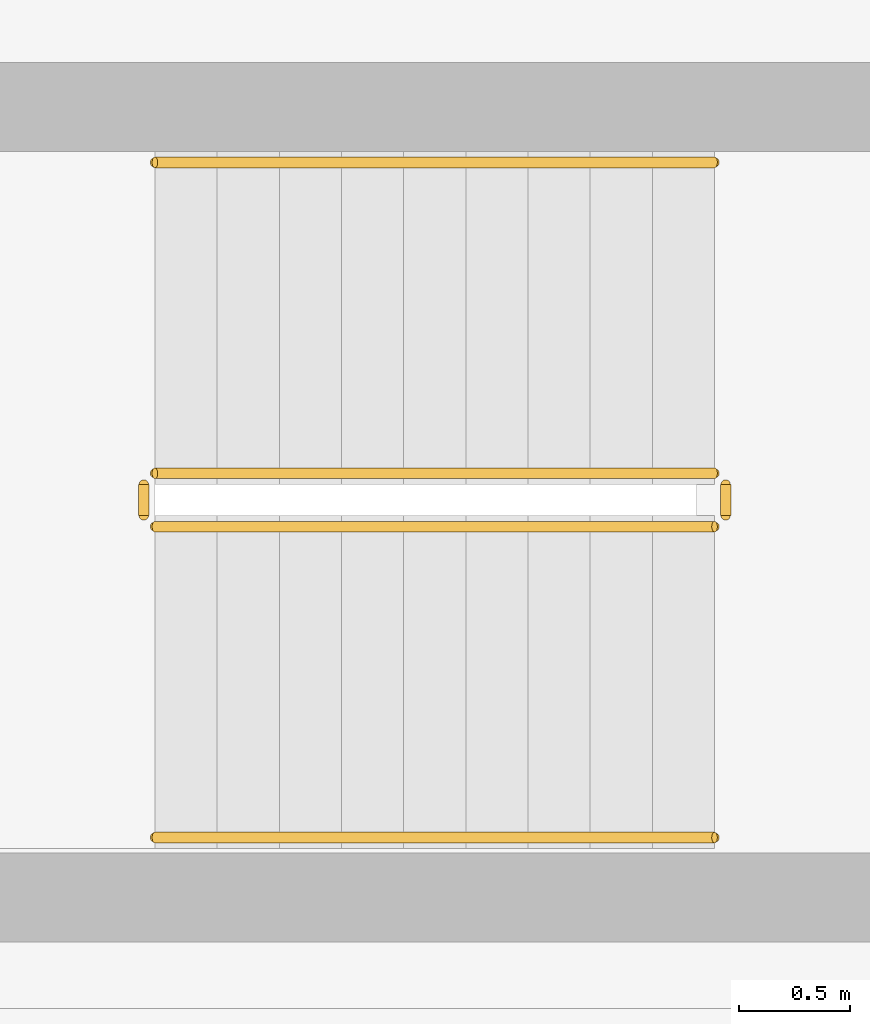
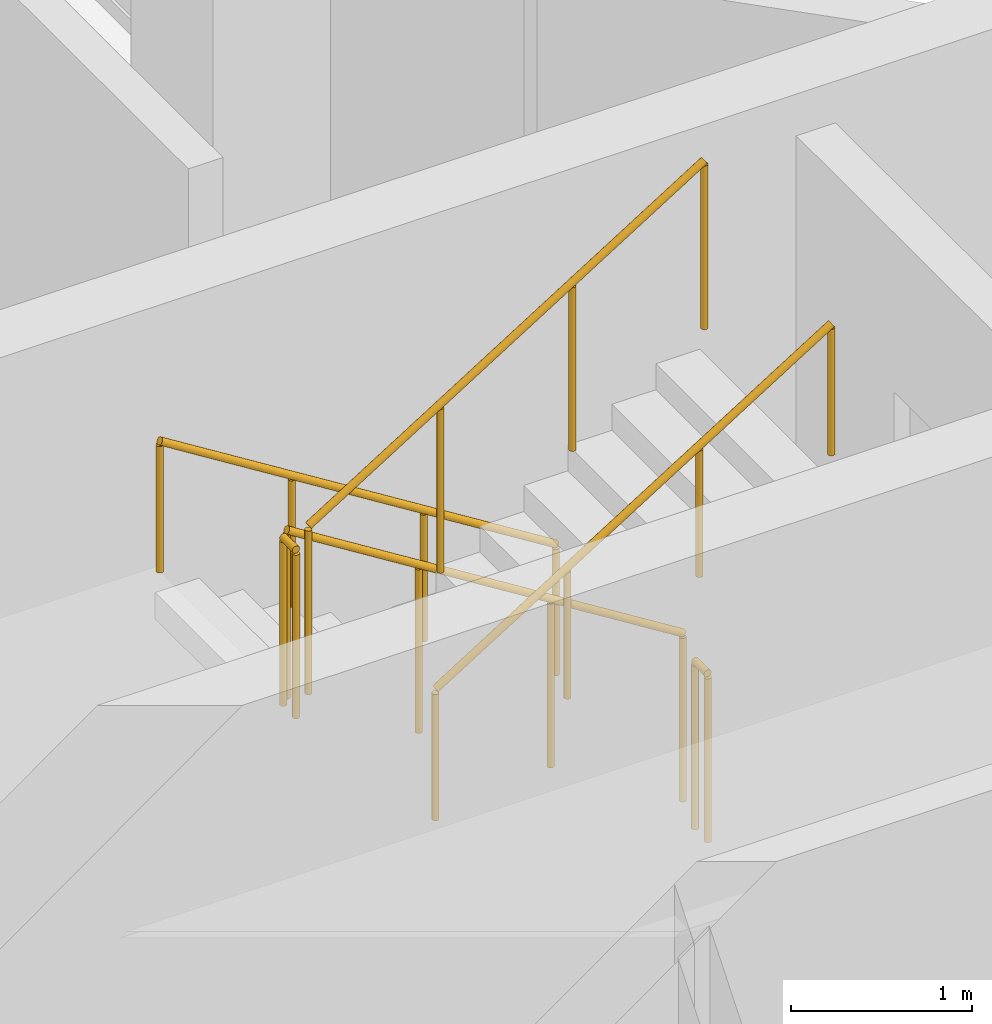
# One storey, part 11 of 14: 6 railings.
"""IFC4 building model written with IfcOpenShell, lengths in metres."""

from ifc_helpers import new_model, si_unit, derived_unit, direction, frame, origin, origin_2d, place, context, subcontext, project, spatial, circle, extrude, material, type_object, element, save


model = new_model("IFC4")

# Units and contexts
model_context = context("Model", 3, precision=1e-05, world=origin(), true_north=direction((0.0, 1.0)))
body_context = subcontext(model_context, "Body", "Model", "MODEL_VIEW")
ifc_project = project(units=[si_unit("LENGTHUNIT", "METRE"), si_unit("AREAUNIT", "SQUARE_METRE"), si_unit("VOLUMEUNIT", "CUBIC_METRE"), si_unit("PLANEANGLEUNIT", "RADIAN"), si_unit("MASSUNIT", "GRAM", prefix="KILO"), derived_unit("THERMALTRANSMITTANCEUNIT", [(si_unit("POWERUNIT", "WATT"), 1), (si_unit("LENGTHUNIT", "METRE"), -2), (si_unit("THERMODYNAMICTEMPERATUREUNIT", "KELVIN"), -1)])], contexts=[model_context])

# Site, building, storey
site_placement = place(None, origin())
site = spatial("IfcSite", under=ifc_project, at=site_placement, CompositionType="ELEMENT")
building_placement = place(site_placement, origin())
building = spatial("IfcBuilding", under=site, at=building_placement, Name="Kivonza Crest Hotel", CompositionType="ELEMENT")
storey_placement = place(building_placement, frame((0.0, 0.0, 152.0)))
storey = spatial("IfcBuildingStorey", under=building, at=storey_placement, Name="L41", CompositionType="ELEMENT", Elevation=152.0)

# Railings
ifc_material_1 = material(Name="Brushed stainless steel handrail", Category="steel")
railing_type_1 = type_object("IfcRailingType", Name="RL-HAND-900", PredefinedType="HANDRAIL", material=ifc_material_1)
railing_1_placement = place(storey_placement, frame((12.239990234375, 16.949951171875, 0.175048828125)))
element("IfcRailing", 1, at=railing_1_placement, inside=storey, type_object=railing_type_1, Name="L41 ST-T1-S stair handrail 1", PredefinedType="HANDRAIL", context=body_context, shape_type="SweptSolid", body=[
    extrude(circle(Radius=0.02392578125, at=origin_2d()), frame((0.0, 0.0, 0.8759765625), z_axis=(-0.848007534815, 0.0, 0.529984170421), x_axis=(0.0, -1.0, 0.0)), (0.0, 0.0, 1.0), 2.9716796875),
    extrude(circle(Radius=0.02099609375, at=origin_2d()), origin(), (0.0, 0.0, 1.0), 0.851806640625),
    extrude(circle(Radius=0.02099609375, at=origin_2d()), frame((-0.840087890625, 0.0, 0.52490234375)), (0.0, 0.0, 1.0), 0.851806640625),
    extrude(circle(Radius=0.02099609375, at=origin_2d()), frame((-1.679931640625, 0.0, 1.050048828125)), (0.0, 0.0, 1.0), 0.851806640625),
    extrude(circle(Radius=0.02099609375, at=origin_2d()), frame((-2.52001953125, 0.0, 1.574951171875)), (0.0, 0.0, 1.0), 0.851806640625),
])
railing_2_placement = place(storey_placement, frame((9.719970703125, 13.909912109375, 1.925048828125)))
element("IfcRailing", 2, at=railing_2_placement, inside=storey, type_object=railing_type_1, Name="L41 ST-T1-S stair handrail 2", PredefinedType="HANDRAIL", context=body_context, shape_type="SweptSolid", body=[
    extrude(circle(Radius=0.02392578125, at=origin_2d()), frame((0.0, 0.0, 0.8759765625), z_axis=(0.848007534815, 0.0, 0.529984170421), x_axis=(0.0, 1.0, 0.0)), (0.0, 0.0, 1.0), 2.9716796875),
    extrude(circle(Radius=0.02099609375, at=origin_2d()), origin(), (0.0, 0.0, 1.0), 0.851806640625),
    extrude(circle(Radius=0.02099609375, at=origin_2d()), frame((0.840087890625, 0.0, 0.52490234375)), (0.0, 0.0, 1.0), 0.851806640625),
    extrude(circle(Radius=0.02099609375, at=origin_2d()), frame((1.679931640625, 0.0, 1.050048828125)), (0.0, 0.0, 1.0), 0.851806640625),
    extrude(circle(Radius=0.02099609375, at=origin_2d()), frame((2.52001953125, 0.0, 1.574951171875)), (0.0, 0.0, 1.0), 0.851806640625),
])
ifc_material_2 = material(Name="Painted steel balustrade", Category="steel")
railing_type_2 = type_object("IfcRailingType", Name="RL-STAIR-1150", PredefinedType="BALUSTRADE", material=ifc_material_2)
railing_3_placement = place(storey_placement, frame((12.239990234375, 15.550048828125, 0.175048828125)))
element("IfcRailing", 3, at=railing_3_placement, inside=storey, type_object=railing_type_2, Name="L41 ST-T1-S stair guard 1", PredefinedType="BALUSTRADE", context=body_context, shape_type="SweptSolid", body=[
    extrude(circle(Radius=0.02392578125, at=origin_2d()), frame((0.0, 0.0, 1.1259765625), z_axis=(-0.848007534815, 0.0, 0.529984170421), x_axis=(0.0, -1.0, 0.0)), (0.0, 0.0, 1.0), 2.9716796875),
    extrude(circle(Radius=0.02099609375, at=origin_2d()), origin(), (0.0, 0.0, 1.0), 1.101806640625),
    extrude(circle(Radius=0.02099609375, at=origin_2d()), frame((-0.840087890625, 0.0, 0.52490234375)), (0.0, 0.0, 1.0), 1.101806640625),
    extrude(circle(Radius=0.02099609375, at=origin_2d()), frame((-1.679931640625, 0.0, 1.050048828125)), (0.0, 0.0, 1.0), 1.101806640625),
    extrude(circle(Radius=0.02099609375, at=origin_2d()), frame((-2.52001953125, 0.0, 1.574951171875)), (0.0, 0.0, 1.0), 1.101806640625),
])
railing_4_placement = place(storey_placement, frame((9.669921875, 15.5, 1.75)))
element("IfcRailing", 4, at=railing_4_placement, inside=storey, type_object=railing_type_2, Name="L41 ST-T1-S stair guard 2", PredefinedType="BALUSTRADE", context=body_context, shape_type="SweptSolid", body=[
    extrude(circle(Radius=0.02392578125, at=origin_2d()), frame((0.0, 0.0, 1.1259765625), z_axis=(0.0, -1.0, 0.0), x_axis=(1.0, 0.0, 0.0)), (0.0, 0.0, 1.0), 0.139892578125),
    extrude(circle(Radius=0.02099609375, at=origin_2d()), origin(), (0.0, 0.0, 1.0), 1.101806640625),
    extrude(circle(Radius=0.02099609375, at=origin_2d()), frame((0.0, -0.139892578125, 0.0)), (0.0, 0.0, 1.0), 1.101806640625),
])
railing_5_placement = place(storey_placement, frame((9.719970703125, 15.31005859375, 1.925048828125)))
element("IfcRailing", 5, at=railing_5_placement, inside=storey, type_object=railing_type_2, Name="L41 ST-T1-S stair guard 3", PredefinedType="BALUSTRADE", context=body_context, shape_type="SweptSolid", body=[
    extrude(circle(Radius=0.02392578125, at=origin_2d()), frame((0.0, 0.0, 1.1259765625), z_axis=(0.848007534815, 0.0, 0.529984170421), x_axis=(0.0, 1.0, 0.0)), (0.0, 0.0, 1.0), 2.9716796875),
    extrude(circle(Radius=0.02099609375, at=origin_2d()), origin(), (0.0, 0.0, 1.0), 1.101806640625),
    extrude(circle(Radius=0.02099609375, at=origin_2d()), frame((0.840087890625, 0.0, 0.52490234375)), (0.0, 0.0, 1.0), 1.101806640625),
    extrude(circle(Radius=0.02099609375, at=origin_2d()), frame((1.679931640625, 0.0, 1.050048828125)), (0.0, 0.0, 1.0), 1.101806640625),
    extrude(circle(Radius=0.02099609375, at=origin_2d()), frame((2.52001953125, 0.0, 1.574951171875)), (0.0, 0.0, 1.0), 1.101806640625),
])
railing_6_placement = place(storey_placement, frame((12.2900390625, 15.5, 0.0)))
element("IfcRailing", 6, at=railing_6_placement, inside=storey, type_object=railing_type_2, Name="L41 ST-T1-S stair guard 4", PredefinedType="BALUSTRADE", context=body_context, shape_type="SweptSolid", body=[
    extrude(circle(Radius=0.02392578125, at=origin_2d()), frame((0.0, 0.0, 1.1259765625), z_axis=(0.0, -1.0, 0.0), x_axis=(1.0, 0.0, 0.0)), (0.0, 0.0, 1.0), 0.139892578125),
    extrude(circle(Radius=0.02099609375, at=origin_2d()), origin(), (0.0, 0.0, 1.0), 1.101806640625),
    extrude(circle(Radius=0.02099609375, at=origin_2d()), frame((0.0, -0.139892578125, 0.0)), (0.0, 0.0, 1.0), 1.101806640625),
])

save(model, "model.ifc")
